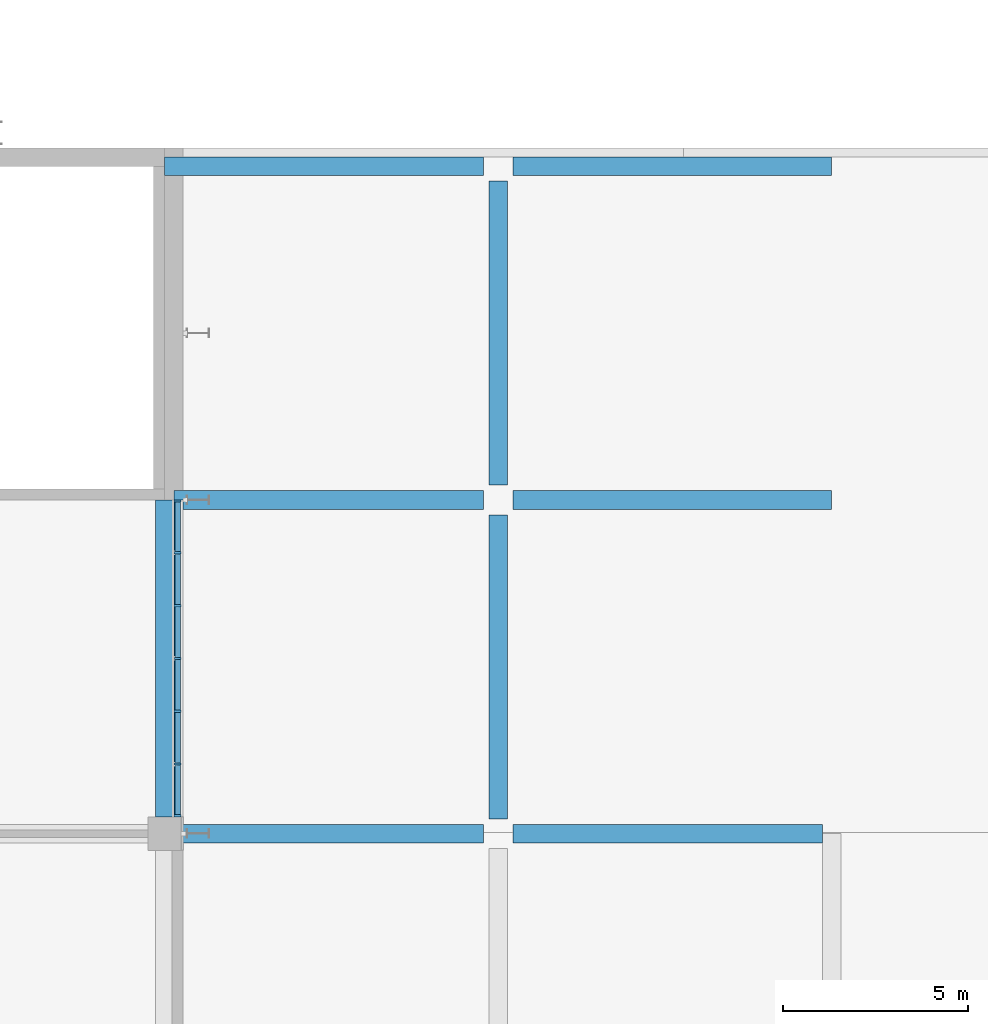
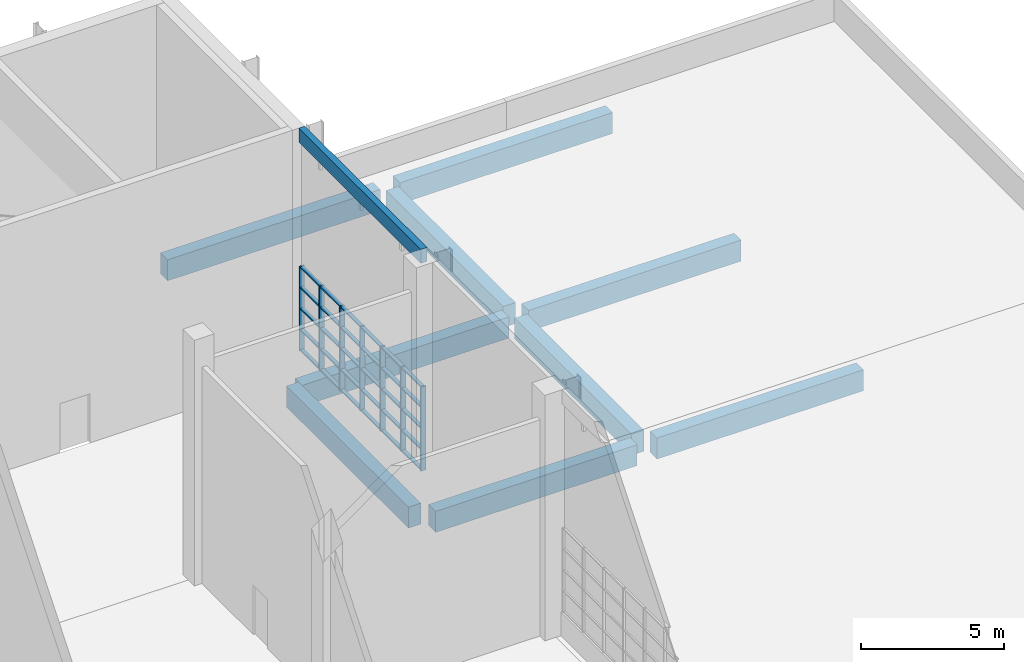
# One storey, part 63 of 182: 37 members, 10 beams, 1 element without a shape of its own.
"""IFC4 building model written with IfcOpenShell, lengths in metres."""

from ifc_helpers import new_model, si_unit, direction, frame, origin, origin_2d, place, context, subcontext, project, spatial, rectangle, extrude, material, material_profile, profile_set, type_object, element, aggregate, save


model = new_model("IFC4")

# Units and contexts
model_context = context("Model", 3, precision=1e-05, world=origin(), true_north=direction((0.0, 1.0)))
body_context = subcontext(model_context, "Body", "Model", "MODEL_VIEW")
ifc_project = project(units=[si_unit("LENGTHUNIT", "METRE"), si_unit("AREAUNIT", "SQUARE_METRE"), si_unit("VOLUMEUNIT", "CUBIC_METRE"), si_unit("PLANEANGLEUNIT", "RADIAN"), si_unit("MASSUNIT", "GRAM", prefix="KILO")], contexts=[model_context])

# Site, building, storey
site_placement = place(None, origin())
site = spatial("IfcSite", under=ifc_project, at=site_placement, CompositionType="ELEMENT")
building_placement = place(site_placement, origin())
building = spatial("IfcBuilding", under=site, at=building_placement, Name="Silverbay Arena", CompositionType="ELEMENT")
storey_placement = place(building_placement, frame((0.0, 0.0, 11.5)))
storey = spatial("IfcBuildingStorey", under=building, at=storey_placement, Name="L02", CompositionType="ELEMENT", Elevation=11.5)

# Curtain wall, members
ifc_material_1 = material(Name="Aluminium framed curtain wall", Category="aluminium")
curtain_wall_type = type_object("IfcCurtainWallType", Name="Curtain wall 8550 x 3600", PredefinedType="NOTDEFINED", material=ifc_material_1)
curtain_wall_placement = place(storey_placement, origin())
curtain_wall = element("IfcCurtainWall", 1, at=curtain_wall_placement, inside=storey, type_object=curtain_wall_type, Name="East curtain wall L02 bay 13", PredefinedType="NOTDEFINED")
ifc_material_2 = material(Name="Aluminium", Category="aluminium")
ifc_material_profile_1 = material_profile(ifc_material_2, rectangle(XDim=0.199951171875, YDim=0.06005859375, at=origin_2d()), Name="Mullion 60 x 200")
ifc_profile_set_1 = profile_set([ifc_material_profile_1], Name="Aluminium")
member_type_1 = type_object("IfcMemberType", Name="Mullion 60 x 200", PredefinedType="MULLION", material=ifc_profile_set_1)
member_1_placement = place(storey_placement, frame((207.35009765625, 126.47998046875, 1.0), z_axis=(0.0, 0.0, 1.0), x_axis=(-1.0, 0.0, 0.0)))
member_1 = element("IfcMember", 2, at=member_1_placement, type_object=member_type_1, Name="CW10 mullion 1", PredefinedType="MULLION", context=body_context, shape_type="SweptSolid", body=[
    extrude(rectangle(XDim=0.199951171875, YDim=0.06005859375, at=origin_2d()), origin(), (0.0, 0.0, 1.0), 3.60009765625),
])
member_2_placement = place(storey_placement, frame((207.35009765625, 127.875, 1.0), z_axis=(0.0, 0.0, 1.0), x_axis=(-1.0, 0.0, 0.0)))
member_2 = element("IfcMember", 3, at=member_2_placement, type_object=member_type_1, Name="CW10 mullion 2", PredefinedType="MULLION", context=body_context, shape_type="SweptSolid", body=[
    extrude(rectangle(XDim=0.199951171875, YDim=0.06005859375, at=origin_2d()), origin(), (0.0, 0.0, 1.0), 3.60009765625),
])
member_3_placement = place(storey_placement, frame((207.35009765625, 129.300048828125, 1.0), z_axis=(0.0, 0.0, 1.0), x_axis=(-1.0, 0.0, 0.0)))
member_3 = element("IfcMember", 4, at=member_3_placement, type_object=member_type_1, Name="CW10 mullion 3", PredefinedType="MULLION", context=body_context, shape_type="SweptSolid", body=[
    extrude(rectangle(XDim=0.199951171875, YDim=0.06005859375, at=origin_2d()), origin(), (0.0, 0.0, 1.0), 3.60009765625),
])
member_4_placement = place(storey_placement, frame((207.35009765625, 130.72509765625, 1.0), z_axis=(0.0, 0.0, 1.0), x_axis=(-1.0, 0.0, 0.0)))
member_4 = element("IfcMember", 5, at=member_4_placement, type_object=member_type_1, Name="CW10 mullion 4", PredefinedType="MULLION", context=body_context, shape_type="SweptSolid", body=[
    extrude(rectangle(XDim=0.199951171875, YDim=0.06005859375, at=origin_2d()), origin(), (0.0, 0.0, 1.0), 3.60009765625),
])
member_5_placement = place(storey_placement, frame((207.35009765625, 132.14990234375, 1.0), z_axis=(0.0, 0.0, 1.0), x_axis=(-1.0, 0.0, 0.0)))
member_5 = element("IfcMember", 6, at=member_5_placement, type_object=member_type_1, Name="CW10 mullion 5", PredefinedType="MULLION", context=body_context, shape_type="SweptSolid", body=[
    extrude(rectangle(XDim=0.199951171875, YDim=0.06005859375, at=origin_2d()), origin(), (0.0, 0.0, 1.0), 3.60009765625),
])
member_6_placement = place(storey_placement, frame((207.35009765625, 133.574951171875, 1.0), z_axis=(0.0, 0.0, 1.0), x_axis=(-1.0, 0.0, 0.0)))
member_6 = element("IfcMember", 7, at=member_6_placement, type_object=member_type_1, Name="CW10 mullion 6", PredefinedType="MULLION", context=body_context, shape_type="SweptSolid", body=[
    extrude(rectangle(XDim=0.199951171875, YDim=0.06005859375, at=origin_2d()), origin(), (0.0, 0.0, 1.0), 3.60009765625),
])
member_7_placement = place(storey_placement, frame((207.35009765625, 134.969970703125, 1.0), z_axis=(0.0, 0.0, 1.0), x_axis=(-1.0, 0.0, 0.0)))
member_7 = element("IfcMember", 8, at=member_7_placement, type_object=member_type_1, Name="CW10 mullion 7", PredefinedType="MULLION", context=body_context, shape_type="SweptSolid", body=[
    extrude(rectangle(XDim=0.199951171875, YDim=0.06005859375, at=origin_2d()), origin(), (0.0, 0.0, 1.0), 3.60009765625),
])

# Beams
ifc_material_3 = material(Name="Concrete Grade C45", Category="concrete")
ifc_material_profile_2 = material_profile(ifc_material_3, rectangle(XDim=0.5, YDim=0.89990234375, at=origin_2d()), Name="RC 500x900")
ifc_profile_set_2 = profile_set([ifc_material_profile_2], Name="Concrete Grade C45")
beam_type_1 = type_object("IfcBeamType", Name="RC beam 500x900", PredefinedType="BEAM", material=ifc_profile_set_2)
beam_1_placement = place(storey_placement, frame((207.449951171875, 126.0, -0.800048828125), z_axis=(1.0, 0.0, 0.0), x_axis=(0.0, 1.0, 0.0)))
element("IfcBeam", 9, at=beam_1_placement, inside=storey, type_object=beam_type_1, Name="Floor beam L02 161", PredefinedType="BEAM", context=body_context, shape_type="SweptSolid", body=[
    extrude(rectangle(XDim=0.5, YDim=0.89990234375, at=origin_2d()), origin(), (0.0, 0.0, 1.0), 8.150146484375),
])
for number, where, z_axis, x_axis, name in (
    (10, (216.39990234375, 126.0, -0.800048828125), (1.0, 0.0, 0.0), (0.0, 1.0, 0.0), "Floor beam L02 162"),
    (11, (207.25, 135.0, -0.800048828125), (1.0, 0.0, 0.0), (0.0, 1.0, 0.0), "Floor beam L02 170"),
):
    element("IfcBeam", number, at=place(storey_placement, frame(where, z_axis=z_axis, x_axis=x_axis)), inside=storey, type_object=beam_type_1, Name=name, PredefinedType="BEAM", context=body_context, shape_type="SweptSolid", body=[
        extrude(rectangle(XDim=0.5, YDim=0.89990234375, at=origin_2d()), origin(), (0.0, 0.0, 1.0), 8.35009765625),
    ])
for number, where, z_axis, x_axis, name in (
    (12, (216.39990234375, 135.0, -0.800048828125), (1.0, 0.0, 0.0), (0.0, 1.0, 0.0), "Floor beam L02 171"),
    (13, (207.0, 144.0, -0.800048828125), (1.0, 0.0, 0.0), (0.0, 1.0, 0.0), "Floor beam L02 179"),
    (14, (216.39990234375, 144.0, -0.800048828125), (1.0, 0.0, 0.0), (0.0, 1.0, 0.0), "Floor beam L02 180"),
):
    element("IfcBeam", number, at=place(storey_placement, frame(where, z_axis=z_axis, x_axis=x_axis)), inside=storey, type_object=beam_type_1, Name=name, PredefinedType="BEAM", context=body_context, shape_type="SweptSolid", body=[
        extrude(rectangle(XDim=0.5, YDim=0.89990234375, at=origin_2d()), origin(), (0.0, 0.0, 1.0), 8.60009765625),
    ])
beam_2_placement = place(storey_placement, frame((207.0, 126.449951171875, -0.800048828125), z_axis=(0.0, 1.0, 0.0), x_axis=(-1.0, 0.0, 0.0)))
element("IfcBeam", 15, at=beam_2_placement, inside=storey, type_object=beam_type_1, Name="Floor beam L02 330", PredefinedType="BEAM", context=body_context, shape_type="SweptSolid", body=[
    extrude(rectangle(XDim=0.5, YDim=0.89990234375, at=origin_2d()), origin(), (0.0, 0.0, 1.0), 8.550048828125),
])
for number, where, z_axis, x_axis, name in (
    (16, (216.0, 126.39990234375, -0.800048828125), (0.0, 1.0, 0.0), (-1.0, 0.0, 0.0), "Floor beam L02 343"),
    (17, (216.0, 135.39990234375, -0.800048828125), (0.0, 1.0, 0.0), (-1.0, 0.0, 0.0), "Floor beam L02 344"),
):
    element("IfcBeam", number, at=place(storey_placement, frame(where, z_axis=z_axis, x_axis=x_axis)), inside=storey, type_object=beam_type_1, Name=name, PredefinedType="BEAM", context=body_context, shape_type="SweptSolid", body=[
        extrude(rectangle(XDim=0.5, YDim=0.89990234375, at=origin_2d()), origin(), (0.0, 0.0, 1.0), 8.2001953125),
    ])
ifc_material_4 = material(Name="Concrete Grade C45", Category="concrete")
ifc_material_profile_3 = material_profile(ifc_material_4, rectangle(XDim=0.25, YDim=0.60009765625, at=origin_2d()), Name="RC 250x600")
ifc_profile_set_3 = profile_set([ifc_material_profile_3], Name="Concrete Grade C45")
beam_type_2 = type_object("IfcBeamType", Name="RC facade beam 250x600", PredefinedType="SPANDREL", material=ifc_profile_set_3)
beam_3_placement = place(storey_placement, frame((207.375, 126.449951171875, 10.199951171875), z_axis=(0.0, 1.0, 0.0), x_axis=(-1.0, 0.0, 0.0)))
element("IfcBeam", 18, at=beam_3_placement, inside=storey, type_object=beam_type_2, Name="Facade beam L02 east", PredefinedType="SPANDREL", context=body_context, shape_type="SweptSolid", body=[
    extrude(rectangle(XDim=0.25, YDim=0.60009765625, at=origin_2d()), origin(), (0.0, 0.0, 1.0), 8.550048828125),
])

# Member
ifc_material_5 = material(Name="Aluminium", Category="aluminium")
ifc_material_profile_4 = material_profile(ifc_material_5, rectangle(XDim=0.14990234375, YDim=0.050048828125, at=origin_2d()), Name="Transom 50 x 150")
ifc_profile_set_4 = profile_set([ifc_material_profile_4], Name="Aluminium")
member_type_2 = type_object("IfcMemberType", Name="Transom 50 x 150", PredefinedType="USERDEFINED", material=ifc_profile_set_4)
member_8_placement = place(storey_placement, frame((207.35009765625, 126.510009765625, 1.02490234375), z_axis=(0.0, 1.0, 0.0), x_axis=(-1.0, 0.0, 0.0)))
member_8 = element("IfcMember", 19, at=member_8_placement, type_object=member_type_2, Name="CW10 transom 1.1", ObjectType="TRANSOM", PredefinedType="USERDEFINED", context=body_context, shape_type="SweptSolid", body=[
    extrude(rectangle(XDim=0.14990234375, YDim=0.050048828125, at=origin_2d()), origin(), (0.0, 0.0, 1.0), 1.3349609375),
])

member_9_placement = place(storey_placement, frame((207.35009765625, 126.510009765625, 1.89990234375), z_axis=(0.0, 1.0, 0.0), x_axis=(-1.0, 0.0, 0.0)))
member_9 = element("IfcMember", 20, at=member_9_placement, type_object=member_type_2, Name="CW10 transom 1.2", ObjectType="TRANSOM", PredefinedType="USERDEFINED", context=body_context, shape_type="SweptSolid", body=[
    extrude(rectangle(XDim=0.14990234375, YDim=0.050048828125, at=origin_2d()), origin(), (0.0, 0.0, 1.0), 1.3349609375),
])

member_10_placement = place(storey_placement, frame((207.35009765625, 126.510009765625, 2.800048828125), z_axis=(0.0, 1.0, 0.0), x_axis=(-1.0, 0.0, 0.0)))
member_10 = element("IfcMember", 21, at=member_10_placement, type_object=member_type_2, Name="CW10 transom 1.3", ObjectType="TRANSOM", PredefinedType="USERDEFINED", context=body_context, shape_type="SweptSolid", body=[
    extrude(rectangle(XDim=0.14990234375, YDim=0.050048828125, at=origin_2d()), origin(), (0.0, 0.0, 1.0), 1.3349609375),
])

member_11_placement = place(storey_placement, frame((207.35009765625, 126.510009765625, 3.699951171875), z_axis=(0.0, 1.0, 0.0), x_axis=(-1.0, 0.0, 0.0)))
member_11 = element("IfcMember", 22, at=member_11_placement, type_object=member_type_2, Name="CW10 transom 1.4", ObjectType="TRANSOM", PredefinedType="USERDEFINED", context=body_context, shape_type="SweptSolid", body=[
    extrude(rectangle(XDim=0.14990234375, YDim=0.050048828125, at=origin_2d()), origin(), (0.0, 0.0, 1.0), 1.3349609375),
])

member_12_placement = place(storey_placement, frame((207.35009765625, 126.510009765625, 4.574951171875), z_axis=(0.0, 1.0, 0.0), x_axis=(-1.0, 0.0, 0.0)))
member_12 = element("IfcMember", 23, at=member_12_placement, type_object=member_type_2, Name="CW10 transom 1.5", ObjectType="TRANSOM", PredefinedType="USERDEFINED", context=body_context, shape_type="SweptSolid", body=[
    extrude(rectangle(XDim=0.14990234375, YDim=0.050048828125, at=origin_2d()), origin(), (0.0, 0.0, 1.0), 1.3349609375),
])

member_13_placement = place(storey_placement, frame((207.35009765625, 127.905029296875, 1.02490234375), z_axis=(0.0, 1.0, 0.0), x_axis=(-1.0, 0.0, 0.0)))
member_13 = element("IfcMember", 24, at=member_13_placement, type_object=member_type_2, Name="CW10 transom 2.1", ObjectType="TRANSOM", PredefinedType="USERDEFINED", context=body_context, shape_type="SweptSolid", body=[
    extrude(rectangle(XDim=0.14990234375, YDim=0.050048828125, at=origin_2d()), origin(), (0.0, 0.0, 1.0), 1.364990234375),
])

member_14_placement = place(storey_placement, frame((207.35009765625, 127.905029296875, 1.89990234375), z_axis=(0.0, 1.0, 0.0), x_axis=(-1.0, 0.0, 0.0)))
member_14 = element("IfcMember", 25, at=member_14_placement, type_object=member_type_2, Name="CW10 transom 2.2", ObjectType="TRANSOM", PredefinedType="USERDEFINED", context=body_context, shape_type="SweptSolid", body=[
    extrude(rectangle(XDim=0.14990234375, YDim=0.050048828125, at=origin_2d()), origin(), (0.0, 0.0, 1.0), 1.364990234375),
])

member_15_placement = place(storey_placement, frame((207.35009765625, 127.905029296875, 2.800048828125), z_axis=(0.0, 1.0, 0.0), x_axis=(-1.0, 0.0, 0.0)))
member_15 = element("IfcMember", 26, at=member_15_placement, type_object=member_type_2, Name="CW10 transom 2.3", ObjectType="TRANSOM", PredefinedType="USERDEFINED", context=body_context, shape_type="SweptSolid", body=[
    extrude(rectangle(XDim=0.14990234375, YDim=0.050048828125, at=origin_2d()), origin(), (0.0, 0.0, 1.0), 1.364990234375),
])

member_16_placement = place(storey_placement, frame((207.35009765625, 127.905029296875, 3.699951171875), z_axis=(0.0, 1.0, 0.0), x_axis=(-1.0, 0.0, 0.0)))
member_16 = element("IfcMember", 27, at=member_16_placement, type_object=member_type_2, Name="CW10 transom 2.4", ObjectType="TRANSOM", PredefinedType="USERDEFINED", context=body_context, shape_type="SweptSolid", body=[
    extrude(rectangle(XDim=0.14990234375, YDim=0.050048828125, at=origin_2d()), origin(), (0.0, 0.0, 1.0), 1.364990234375),
])

member_17_placement = place(storey_placement, frame((207.35009765625, 127.905029296875, 4.574951171875), z_axis=(0.0, 1.0, 0.0), x_axis=(-1.0, 0.0, 0.0)))
member_17 = element("IfcMember", 28, at=member_17_placement, type_object=member_type_2, Name="CW10 transom 2.5", ObjectType="TRANSOM", PredefinedType="USERDEFINED", context=body_context, shape_type="SweptSolid", body=[
    extrude(rectangle(XDim=0.14990234375, YDim=0.050048828125, at=origin_2d()), origin(), (0.0, 0.0, 1.0), 1.364990234375),
])

member_18_placement = place(storey_placement, frame((207.35009765625, 129.330078125, 1.02490234375), z_axis=(0.0, 1.0, 0.0), x_axis=(-1.0, 0.0, 0.0)))
member_18 = element("IfcMember", 29, at=member_18_placement, type_object=member_type_2, Name="CW10 transom 3.1", ObjectType="TRANSOM", PredefinedType="USERDEFINED", context=body_context, shape_type="SweptSolid", body=[
    extrude(rectangle(XDim=0.14990234375, YDim=0.050048828125, at=origin_2d()), origin(), (0.0, 0.0, 1.0), 1.364990234375),
])

member_19_placement = place(storey_placement, frame((207.35009765625, 129.330078125, 1.89990234375), z_axis=(0.0, 1.0, 0.0), x_axis=(-1.0, 0.0, 0.0)))
member_19 = element("IfcMember", 30, at=member_19_placement, type_object=member_type_2, Name="CW10 transom 3.2", ObjectType="TRANSOM", PredefinedType="USERDEFINED", context=body_context, shape_type="SweptSolid", body=[
    extrude(rectangle(XDim=0.14990234375, YDim=0.050048828125, at=origin_2d()), origin(), (0.0, 0.0, 1.0), 1.364990234375),
])

member_20_placement = place(storey_placement, frame((207.35009765625, 129.330078125, 2.800048828125), z_axis=(0.0, 1.0, 0.0), x_axis=(-1.0, 0.0, 0.0)))
member_20 = element("IfcMember", 31, at=member_20_placement, type_object=member_type_2, Name="CW10 transom 3.3", ObjectType="TRANSOM", PredefinedType="USERDEFINED", context=body_context, shape_type="SweptSolid", body=[
    extrude(rectangle(XDim=0.14990234375, YDim=0.050048828125, at=origin_2d()), origin(), (0.0, 0.0, 1.0), 1.364990234375),
])

member_21_placement = place(storey_placement, frame((207.35009765625, 129.330078125, 3.699951171875), z_axis=(0.0, 1.0, 0.0), x_axis=(-1.0, 0.0, 0.0)))
member_21 = element("IfcMember", 32, at=member_21_placement, type_object=member_type_2, Name="CW10 transom 3.4", ObjectType="TRANSOM", PredefinedType="USERDEFINED", context=body_context, shape_type="SweptSolid", body=[
    extrude(rectangle(XDim=0.14990234375, YDim=0.050048828125, at=origin_2d()), origin(), (0.0, 0.0, 1.0), 1.364990234375),
])

member_22_placement = place(storey_placement, frame((207.35009765625, 129.330078125, 4.574951171875), z_axis=(0.0, 1.0, 0.0), x_axis=(-1.0, 0.0, 0.0)))
member_22 = element("IfcMember", 33, at=member_22_placement, type_object=member_type_2, Name="CW10 transom 3.5", ObjectType="TRANSOM", PredefinedType="USERDEFINED", context=body_context, shape_type="SweptSolid", body=[
    extrude(rectangle(XDim=0.14990234375, YDim=0.050048828125, at=origin_2d()), origin(), (0.0, 0.0, 1.0), 1.364990234375),
])

member_23_placement = place(storey_placement, frame((207.35009765625, 130.7548828125, 1.02490234375), z_axis=(0.0, 1.0, 0.0), x_axis=(-1.0, 0.0, 0.0)))
member_23 = element("IfcMember", 34, at=member_23_placement, type_object=member_type_2, Name="CW10 transom 4.1", ObjectType="TRANSOM", PredefinedType="USERDEFINED", context=body_context, shape_type="SweptSolid", body=[
    extrude(rectangle(XDim=0.14990234375, YDim=0.050048828125, at=origin_2d()), origin(), (0.0, 0.0, 1.0), 1.365234375),
])

member_24_placement = place(storey_placement, frame((207.35009765625, 130.7548828125, 1.89990234375), z_axis=(0.0, 1.0, 0.0), x_axis=(-1.0, 0.0, 0.0)))
member_24 = element("IfcMember", 35, at=member_24_placement, type_object=member_type_2, Name="CW10 transom 4.2", ObjectType="TRANSOM", PredefinedType="USERDEFINED", context=body_context, shape_type="SweptSolid", body=[
    extrude(rectangle(XDim=0.14990234375, YDim=0.050048828125, at=origin_2d()), origin(), (0.0, 0.0, 1.0), 1.365234375),
])

member_25_placement = place(storey_placement, frame((207.35009765625, 130.7548828125, 2.800048828125), z_axis=(0.0, 1.0, 0.0), x_axis=(-1.0, 0.0, 0.0)))
member_25 = element("IfcMember", 36, at=member_25_placement, type_object=member_type_2, Name="CW10 transom 4.3", ObjectType="TRANSOM", PredefinedType="USERDEFINED", context=body_context, shape_type="SweptSolid", body=[
    extrude(rectangle(XDim=0.14990234375, YDim=0.050048828125, at=origin_2d()), origin(), (0.0, 0.0, 1.0), 1.365234375),
])

member_26_placement = place(storey_placement, frame((207.35009765625, 130.7548828125, 3.699951171875), z_axis=(0.0, 1.0, 0.0), x_axis=(-1.0, 0.0, 0.0)))
member_26 = element("IfcMember", 37, at=member_26_placement, type_object=member_type_2, Name="CW10 transom 4.4", ObjectType="TRANSOM", PredefinedType="USERDEFINED", context=body_context, shape_type="SweptSolid", body=[
    extrude(rectangle(XDim=0.14990234375, YDim=0.050048828125, at=origin_2d()), origin(), (0.0, 0.0, 1.0), 1.365234375),
])

member_27_placement = place(storey_placement, frame((207.35009765625, 130.7548828125, 4.574951171875), z_axis=(0.0, 1.0, 0.0), x_axis=(-1.0, 0.0, 0.0)))
member_27 = element("IfcMember", 38, at=member_27_placement, type_object=member_type_2, Name="CW10 transom 4.5", ObjectType="TRANSOM", PredefinedType="USERDEFINED", context=body_context, shape_type="SweptSolid", body=[
    extrude(rectangle(XDim=0.14990234375, YDim=0.050048828125, at=origin_2d()), origin(), (0.0, 0.0, 1.0), 1.365234375),
])

member_28_placement = place(storey_placement, frame((207.35009765625, 132.179931640625, 1.02490234375), z_axis=(0.0, 1.0, 0.0), x_axis=(-1.0, 0.0, 0.0)))
member_28 = element("IfcMember", 39, at=member_28_placement, type_object=member_type_2, Name="CW10 transom 5.1", ObjectType="TRANSOM", PredefinedType="USERDEFINED", context=body_context, shape_type="SweptSolid", body=[
    extrude(rectangle(XDim=0.14990234375, YDim=0.050048828125, at=origin_2d()), origin(), (0.0, 0.0, 1.0), 1.364990234375),
])

member_29_placement = place(storey_placement, frame((207.35009765625, 132.179931640625, 1.89990234375), z_axis=(0.0, 1.0, 0.0), x_axis=(-1.0, 0.0, 0.0)))
member_29 = element("IfcMember", 40, at=member_29_placement, type_object=member_type_2, Name="CW10 transom 5.2", ObjectType="TRANSOM", PredefinedType="USERDEFINED", context=body_context, shape_type="SweptSolid", body=[
    extrude(rectangle(XDim=0.14990234375, YDim=0.050048828125, at=origin_2d()), origin(), (0.0, 0.0, 1.0), 1.364990234375),
])

member_30_placement = place(storey_placement, frame((207.35009765625, 132.179931640625, 2.800048828125), z_axis=(0.0, 1.0, 0.0), x_axis=(-1.0, 0.0, 0.0)))
member_30 = element("IfcMember", 41, at=member_30_placement, type_object=member_type_2, Name="CW10 transom 5.3", ObjectType="TRANSOM", PredefinedType="USERDEFINED", context=body_context, shape_type="SweptSolid", body=[
    extrude(rectangle(XDim=0.14990234375, YDim=0.050048828125, at=origin_2d()), origin(), (0.0, 0.0, 1.0), 1.364990234375),
])

member_31_placement = place(storey_placement, frame((207.35009765625, 132.179931640625, 3.699951171875), z_axis=(0.0, 1.0, 0.0), x_axis=(-1.0, 0.0, 0.0)))
member_31 = element("IfcMember", 42, at=member_31_placement, type_object=member_type_2, Name="CW10 transom 5.4", ObjectType="TRANSOM", PredefinedType="USERDEFINED", context=body_context, shape_type="SweptSolid", body=[
    extrude(rectangle(XDim=0.14990234375, YDim=0.050048828125, at=origin_2d()), origin(), (0.0, 0.0, 1.0), 1.364990234375),
])

member_32_placement = place(storey_placement, frame((207.35009765625, 132.179931640625, 4.574951171875), z_axis=(0.0, 1.0, 0.0), x_axis=(-1.0, 0.0, 0.0)))
member_32 = element("IfcMember", 43, at=member_32_placement, type_object=member_type_2, Name="CW10 transom 5.5", ObjectType="TRANSOM", PredefinedType="USERDEFINED", context=body_context, shape_type="SweptSolid", body=[
    extrude(rectangle(XDim=0.14990234375, YDim=0.050048828125, at=origin_2d()), origin(), (0.0, 0.0, 1.0), 1.364990234375),
])

member_33_placement = place(storey_placement, frame((207.35009765625, 133.60498046875, 1.02490234375), z_axis=(0.0, 1.0, 0.0), x_axis=(-1.0, 0.0, 0.0)))
member_33 = element("IfcMember", 44, at=member_33_placement, type_object=member_type_2, Name="CW10 transom 6.1", ObjectType="TRANSOM", PredefinedType="USERDEFINED", context=body_context, shape_type="SweptSolid", body=[
    extrude(rectangle(XDim=0.14990234375, YDim=0.050048828125, at=origin_2d()), origin(), (0.0, 0.0, 1.0), 1.3349609375),
])

member_34_placement = place(storey_placement, frame((207.35009765625, 133.60498046875, 1.89990234375), z_axis=(0.0, 1.0, 0.0), x_axis=(-1.0, 0.0, 0.0)))
member_34 = element("IfcMember", 45, at=member_34_placement, type_object=member_type_2, Name="CW10 transom 6.2", ObjectType="TRANSOM", PredefinedType="USERDEFINED", context=body_context, shape_type="SweptSolid", body=[
    extrude(rectangle(XDim=0.14990234375, YDim=0.050048828125, at=origin_2d()), origin(), (0.0, 0.0, 1.0), 1.3349609375),
])

member_35_placement = place(storey_placement, frame((207.35009765625, 133.60498046875, 2.800048828125), z_axis=(0.0, 1.0, 0.0), x_axis=(-1.0, 0.0, 0.0)))
member_35 = element("IfcMember", 46, at=member_35_placement, type_object=member_type_2, Name="CW10 transom 6.3", ObjectType="TRANSOM", PredefinedType="USERDEFINED", context=body_context, shape_type="SweptSolid", body=[
    extrude(rectangle(XDim=0.14990234375, YDim=0.050048828125, at=origin_2d()), origin(), (0.0, 0.0, 1.0), 1.3349609375),
])

member_36_placement = place(storey_placement, frame((207.35009765625, 133.60498046875, 3.699951171875), z_axis=(0.0, 1.0, 0.0), x_axis=(-1.0, 0.0, 0.0)))
member_36 = element("IfcMember", 47, at=member_36_placement, type_object=member_type_2, Name="CW10 transom 6.4", ObjectType="TRANSOM", PredefinedType="USERDEFINED", context=body_context, shape_type="SweptSolid", body=[
    extrude(rectangle(XDim=0.14990234375, YDim=0.050048828125, at=origin_2d()), origin(), (0.0, 0.0, 1.0), 1.3349609375),
])

member_37_placement = place(storey_placement, frame((207.35009765625, 133.60498046875, 4.574951171875), z_axis=(0.0, 1.0, 0.0), x_axis=(-1.0, 0.0, 0.0)))
member_37 = element("IfcMember", 48, at=member_37_placement, type_object=member_type_2, Name="CW10 transom 6.5", ObjectType="TRANSOM", PredefinedType="USERDEFINED", context=body_context, shape_type="SweptSolid", body=[
    extrude(rectangle(XDim=0.14990234375, YDim=0.050048828125, at=origin_2d()), origin(), (0.0, 0.0, 1.0), 1.3349609375),
])

aggregate(curtain_wall, [member_1, member_2, member_3, member_4, member_5, member_6, member_7, member_8, member_9, member_10, member_11, member_12, member_13, member_14, member_15, member_16, member_17, member_18, member_19, member_20, member_21, member_22, member_23, member_24, member_25, member_26, member_27, member_28, member_29, member_30, member_31, member_32, member_33, member_34, member_35, member_36, member_37])

save(model, "model.ifc")
